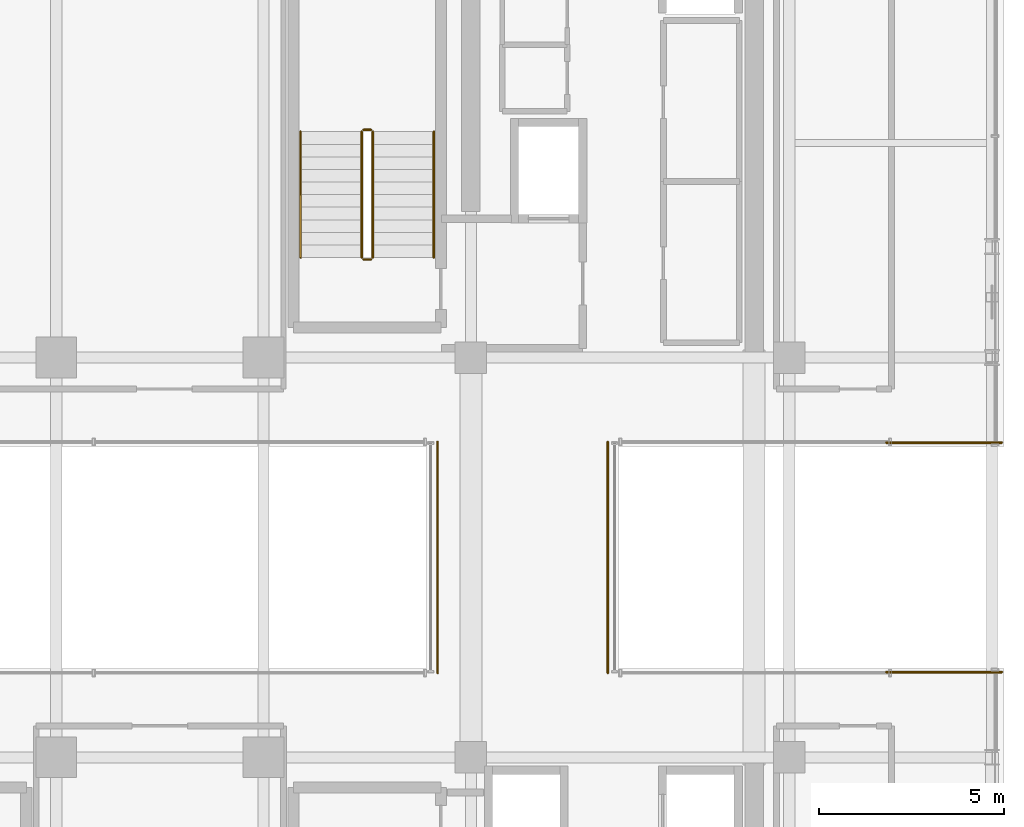
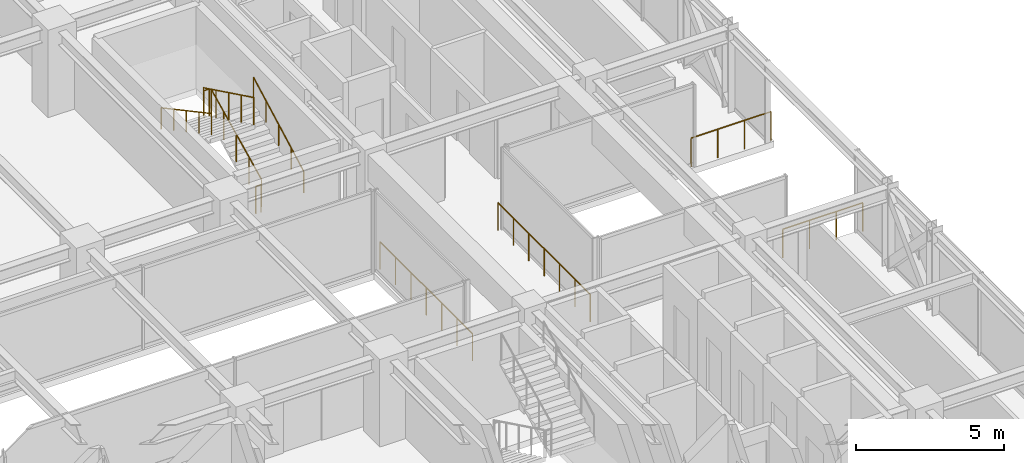
# One storey, part 34 of 35: 10 railings.
"""IFC4 building model written with IfcOpenShell, lengths in metres."""

from ifc_helpers import new_model, si_unit, direction, frame, origin, origin_2d, place, context, subcontext, project, spatial, circle, extrude, material, type_object, element, save


model = new_model("IFC4")

# Units and contexts
model_context = context("Model", 3, precision=1e-05, world=origin(), true_north=direction((0.0, 1.0)))
body_context = subcontext(model_context, "Body", "Model", "MODEL_VIEW")
ifc_project = project(units=[si_unit("LENGTHUNIT", "METRE"), si_unit("AREAUNIT", "SQUARE_METRE"), si_unit("VOLUMEUNIT", "CUBIC_METRE"), si_unit("PLANEANGLEUNIT", "RADIAN"), si_unit("MASSUNIT", "GRAM", prefix="KILO")], contexts=[model_context])

# Site, building, storey
site_placement = place(None, origin())
site = spatial("IfcSite", under=ifc_project, at=site_placement, CompositionType="ELEMENT")
building_placement = place(site_placement, origin())
building = spatial("IfcBuilding", under=site, at=building_placement, Name="Nahalor Promenade Grand Hotel", CompositionType="ELEMENT")
storey_placement = place(building_placement, frame((0.0, 0.0, 185.5)))
storey = spatial("IfcBuildingStorey", under=building, at=storey_placement, Name="L47", CompositionType="ELEMENT", Elevation=185.5)

# Railings
ifc_material_1 = material(Name="Anodised Bronze Aluminium EN AW-6063 T6", Category="aluminium")
railing_type_1 = type_object("IfcRailingType", Name="Bronze Balcony Guardrail 1200 mm", PredefinedType="GUARDRAIL", material=ifc_material_1)
for number, where, name in (
    (1, (19.6201171875, -3.09912109375, 0.0), "L47 Oculus Void Edge Guardrail ES"),
    (2, (19.6201171875, 3.09912109375, 0.0), "L47 Oculus Void Edge Guardrail EN"),
):
    element("IfcRailing", number, at=place(storey_placement, frame(where)), inside=storey, type_object=railing_type_1, Name=name, PredefinedType="GUARDRAIL", context=body_context, shape_type="SweptSolid", body=[
        extrude(circle(Radius=0.024048, at=origin_2d()), frame((0.0, 0.0, 1.17578125), z_axis=(1.0, 0.0, 0.0), x_axis=(0.0, 1.0, 0.0)), (0.0, 0.0, 1.0), 3.119873046875),
        extrude(circle(Radius=0.020996, at=origin_2d()), origin(), (0.0, 0.0, 1.0), 1.14990234375),
        extrude(circle(Radius=0.020996, at=origin_2d()), frame((1.0400390625, 0.0, 0.0)), (0.0, 0.0, 1.0), 1.14990234375),
        extrude(circle(Radius=0.020996, at=origin_2d()), frame((2.079833984375, 0.0, 0.0)), (0.0, 0.0, 1.0), 1.14990234375),
        extrude(circle(Radius=0.020996, at=origin_2d()), frame((3.119873046875, 0.0, 0.0)), (0.0, 0.0, 1.0), 1.14990234375),
    ])
railing_type_2 = type_object("IfcRailingType", Name="Bronze Sky Balustrade 1150 mm", PredefinedType="BALUSTRADE", material=ifc_material_1)
for number, where, name in (
    (3, (7.5, -3.118896484375, 0.0), "BL-L47-BRG-W"),
    (4, (12.10009765625, -3.118896484375, 0.0), "BL-L47-BRG-E"),
):
    element("IfcRailing", number, at=place(storey_placement, frame(where)), inside=storey, type_object=railing_type_2, Name=name, PredefinedType="BALUSTRADE", context=body_context, shape_type="SweptSolid", body=[
        extrude(circle(Radius=0.024048, at=origin_2d()), frame((0.0, 0.0, 1.1259765625), z_axis=(0.0, 1.0, 0.0), x_axis=(-1.0, 0.0, 0.0)), (0.0, 0.0, 1.0), 6.23779296875),
        extrude(circle(Radius=0.020996, at=origin_2d()), origin(), (0.0, 0.0, 1.0), 1.099853515625),
        extrude(circle(Radius=0.020996, at=origin_2d()), frame((0.0, 1.03955078125, 0.0)), (0.0, 0.0, 1.0), 1.099853515625),
        extrude(circle(Radius=0.020996, at=origin_2d()), frame((0.0, 2.079345703125, 0.0)), (0.0, 0.0, 1.0), 1.099853515625),
        extrude(circle(Radius=0.020996, at=origin_2d()), frame((0.0, 3.118896484375, 0.0)), (0.0, 0.0, 1.0), 1.099853515625),
        extrude(circle(Radius=0.020996, at=origin_2d()), frame((0.0, 4.158447265625, 0.0)), (0.0, 0.0, 1.0), 1.099853515625),
        extrude(circle(Radius=0.020996, at=origin_2d()), frame((0.0, 5.1982421875, 0.0)), (0.0, 0.0, 1.0), 1.099853515625),
        extrude(circle(Radius=0.020996, at=origin_2d()), frame((0.0, 6.23779296875, 0.0)), (0.0, 0.0, 1.0), 1.099853515625),
    ])
ifc_material_2 = material(Name="Steel S355JR", Category="steel")
railing_type_3 = type_object("IfcRailingType", Name="Steel Stair Guardrail 1150 mm", PredefinedType="GUARDRAIL", material=ifc_material_2)
railing_1_placement = place(storey_placement, frame((5.75, 8.10009765625, 0.166015625)))
element("IfcRailing", 5, at=railing_1_placement, inside=storey, type_object=railing_type_3, Name="L47 ST1 stair guard 1", PredefinedType="GUARDRAIL", context=body_context, shape_type="SweptSolid", body=[
    extrude(circle(Radius=0.024048, at=origin_2d()), frame((0.0, 0.0, 1.1259765625), z_axis=(0.0, 0.898721922897, 0.438518990814), x_axis=(-1.0, 0.0, 0.0)), (0.0, 0.0, 1.0), 3.782958984375),
    extrude(circle(Radius=0.020996, at=origin_2d()), origin(), (0.0, 0.0, 1.0), 1.099853515625),
    extrude(circle(Radius=0.020996, at=origin_2d()), frame((0.0, 0.85009765625, 0.414794921875)), (0.0, 0.0, 1.0), 1.099853515625),
    extrude(circle(Radius=0.020996, at=origin_2d()), frame((0.0, 1.699951171875, 0.82958984375)), (0.0, 0.0, 1.0), 1.099853515625),
    extrude(circle(Radius=0.020996, at=origin_2d()), frame((0.0, 2.5498046875, 1.244140625)), (0.0, 0.0, 1.0), 1.099853515625),
    extrude(circle(Radius=0.020996, at=origin_2d()), frame((0.0, 3.39990234375, 1.658935546875)), (0.0, 0.0, 1.0), 1.099853515625),
])
railing_2_placement = place(storey_placement, frame((5.699951171875, 11.550048828125, 1.824951171875)))
element("IfcRailing", 6, at=railing_2_placement, inside=storey, type_object=railing_type_3, Name="L47 ST1 stair guard 2", PredefinedType="GUARDRAIL", context=body_context, shape_type="SweptSolid", body=[
    extrude(circle(Radius=0.024048, at=origin_2d()), frame((0.0, 0.0, 1.1259765625), z_axis=(-1.0, 0.0, 0.0), x_axis=(0.0, -1.0, 0.0)), (0.0, 0.0, 1.0), 0.199951171875),
    extrude(circle(Radius=0.020996, at=origin_2d()), origin(), (0.0, 0.0, 1.0), 1.099853515625),
    extrude(circle(Radius=0.020996, at=origin_2d()), frame((-0.199951171875, 0.0, 0.0)), (0.0, 0.0, 1.0), 1.099853515625),
])
railing_3_placement = place(storey_placement, frame((5.449951171875, 11.5, 1.990966796875)))
element("IfcRailing", 7, at=railing_3_placement, inside=storey, type_object=railing_type_3, Name="L47 ST1 stair guard 3", PredefinedType="GUARDRAIL", context=body_context, shape_type="SweptSolid", body=[
    extrude(circle(Radius=0.024048, at=origin_2d()), frame((0.0, 0.0, 1.1259765625), z_axis=(0.0, -0.898721922897, 0.438518990814), x_axis=(1.0, 0.0, 0.0)), (0.0, 0.0, 1.0), 3.782958984375),
    extrude(circle(Radius=0.020996, at=origin_2d()), origin(), (0.0, 0.0, 1.0), 1.099853515625),
    extrude(circle(Radius=0.020996, at=origin_2d()), frame((0.0, -0.85009765625, 0.414794921875)), (0.0, 0.0, 1.0), 1.099853515625),
    extrude(circle(Radius=0.020996, at=origin_2d()), frame((0.0, -1.699951171875, 0.82958984375)), (0.0, 0.0, 1.0), 1.099853515625),
    extrude(circle(Radius=0.020996, at=origin_2d()), frame((0.0, -2.5498046875, 1.244140625)), (0.0, 0.0, 1.0), 1.099853515625),
    extrude(circle(Radius=0.020996, at=origin_2d()), frame((0.0, -3.39990234375, 1.658935546875)), (0.0, 0.0, 1.0), 1.099853515625),
])
railing_4_placement = place(storey_placement, frame((5.699951171875, 8.050048828125, 0.0)))
element("IfcRailing", 8, at=railing_4_placement, inside=storey, type_object=railing_type_3, Name="L47 ST1 stair guard 4", PredefinedType="GUARDRAIL", context=body_context, shape_type="SweptSolid", body=[
    extrude(circle(Radius=0.024048, at=origin_2d()), frame((0.0, 0.0, 1.1259765625), z_axis=(-1.0, 0.0, 0.0), x_axis=(0.0, -1.0, 0.0)), (0.0, 0.0, 1.0), 0.199951171875),
    extrude(circle(Radius=0.020996, at=origin_2d()), origin(), (0.0, 0.0, 1.0), 1.099853515625),
    extrude(circle(Radius=0.020996, at=origin_2d()), frame((-0.199951171875, 0.0, 0.0)), (0.0, 0.0, 1.0), 1.099853515625),
])
railing_type_4 = type_object("IfcRailingType", Name="Steel Stair Handrail 900 mm", PredefinedType="HANDRAIL", material=ifc_material_2)
railing_5_placement = place(storey_placement, frame((7.39990234375, 8.10009765625, 0.166015625)))
element("IfcRailing", 9, at=railing_5_placement, inside=storey, type_object=railing_type_4, Name="L47 ST1 stair handrail 1", PredefinedType="HANDRAIL", context=body_context, shape_type="SweptSolid", body=[
    extrude(circle(Radius=0.024048, at=origin_2d()), frame((0.0, 0.0, 0.8759765625), z_axis=(0.0, 0.881094038095, 0.47294111265), x_axis=(-1.0, 0.0, 0.0)), (0.0, 0.0, 1.0), 3.858642578125),
    extrude(circle(Radius=0.020996, at=origin_2d()), origin(), (0.0, 0.0, 1.0), 0.849853515625),
    extrude(circle(Radius=0.020996, at=origin_2d()), frame((0.0, 0.85009765625, 0.456298828125)), (0.0, 0.0, 1.0), 0.849853515625),
    extrude(circle(Radius=0.020996, at=origin_2d()), frame((0.0, 1.699951171875, 0.91259765625)), (0.0, 0.0, 1.0), 0.849853515625),
    extrude(circle(Radius=0.020996, at=origin_2d()), frame((0.0, 2.5498046875, 1.36865234375)), (0.0, 0.0, 1.0), 0.849853515625),
    extrude(circle(Radius=0.020996, at=origin_2d()), frame((0.0, 3.39990234375, 1.824951171875)), (0.0, 0.0, 1.0), 0.849853515625),
])
railing_6_placement = place(storey_placement, frame((3.800048828125, 11.5, 1.990966796875)))
element("IfcRailing", 10, at=railing_6_placement, inside=storey, type_object=railing_type_4, Name="L47 ST1 stair handrail 2", PredefinedType="HANDRAIL", context=body_context, shape_type="SweptSolid", body=[
    extrude(circle(Radius=0.024048, at=origin_2d()), frame((0.0, 0.0, 0.8759765625), z_axis=(0.0, -0.881094038095, 0.47294111265), x_axis=(1.0, 0.0, 0.0)), (0.0, 0.0, 1.0), 3.858642578125),
    extrude(circle(Radius=0.020996, at=origin_2d()), origin(), (0.0, 0.0, 1.0), 0.849853515625),
    extrude(circle(Radius=0.020996, at=origin_2d()), frame((0.0, -0.85009765625, 0.456298828125)), (0.0, 0.0, 1.0), 0.849853515625),
    extrude(circle(Radius=0.020996, at=origin_2d()), frame((0.0, -1.699951171875, 0.91259765625)), (0.0, 0.0, 1.0), 0.849853515625),
    extrude(circle(Radius=0.020996, at=origin_2d()), frame((0.0, -2.5498046875, 1.36865234375)), (0.0, 0.0, 1.0), 0.849853515625),
    extrude(circle(Radius=0.020996, at=origin_2d()), frame((0.0, -3.39990234375, 1.824951171875)), (0.0, 0.0, 1.0), 0.849853515625),
])

save(model, "model.ifc")
